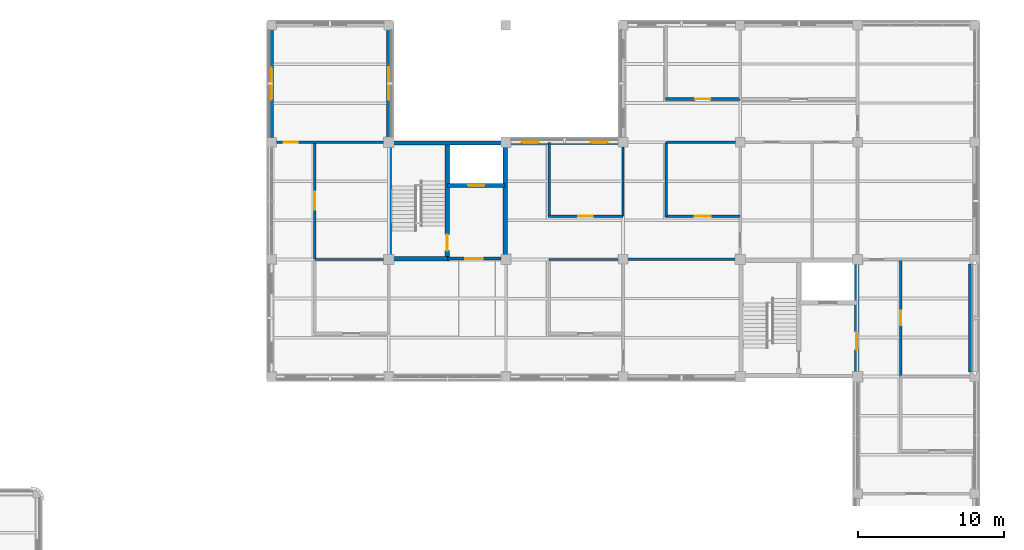
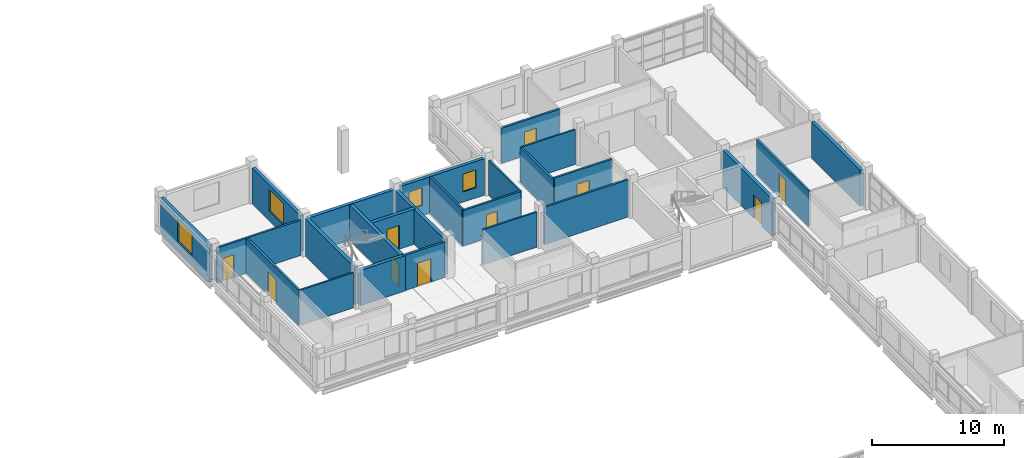
# One storey, part 74 of 92: 25 walls, 10 doors, 4 windows, 14 openings.
"""IFC4 building model written with IfcOpenShell, lengths in metres."""

import ifcopenshell
import ifcopenshell.guid

model = None  # the IFC model being written
_history = None  # IfcOwnerHistory: only IFC2X3 demands one
_inside = {}  # id of a spatial element -> (the spatial element, [elements in it])
_under = {}  # id of a project, library or spatial element -> (it, [spatial elements below it])
_declared = {}  # id of a project -> (the project, [libraries it declares])
_typed = {}  # id of a type object -> (the type object, [elements of that type])
_made_of = {}  # id of a material, layer set ... -> (it, [elements and type objects made of it])


def new_model(schema):
    """Start an empty IFC model of exactly this schema.

    Asked for "IFC4X3", IfcOpenShell would pick the latest addendum, in which some entities
    have other attributes; the version numbers below select the first issue.
    IFC2X3 requires an IfcOwnerHistory on every rooted entity: one is made here for all.
    """
    global model, _history
    if schema == "IFC4X3":
        model = ifcopenshell.file(schema_version=(4, 3, 0, 0))
    else:
        model = ifcopenshell.file(schema=schema)
    _inside.clear()
    _under.clear()
    _declared.clear()
    _typed.clear()
    _made_of.clear()
    _history = None
    if model.schema == "IFC2X3":
        org = make("IfcOrganization", Name="unknown")
        user = make(
            "IfcPersonAndOrganization",
            ThePerson=make("IfcPerson", FamilyName="unknown"),
            TheOrganization=org,
        )
        app = make(
            "IfcApplication",
            ApplicationDeveloper=org,
            Version="unknown",
            ApplicationFullName="unknown",
            ApplicationIdentifier="unknown",
        )
        _history = make(
            "IfcOwnerHistory",
            OwningUser=user,
            OwningApplication=app,
            ChangeAction="ADDED",
            CreationDate=0,
        )
    return model


def make(cls, **values):
    """One entity of the class cls with the attributes given. An attribute that is None is left unset."""
    return model.create_entity(
        cls, **{name: value for name, value in values.items() if value is not None}
    )


def rooted(cls, **values):
    """An entity with a GlobalId (a new one), such as an element, a storey or a relation."""
    return make(cls, GlobalId=ifcopenshell.guid.new(), OwnerHistory=_history, **values)


def si_unit(unit_type, name, prefix=None):
    """IfcSIUnit, for example si_unit("LENGTHUNIT", "METRE", prefix="MILLI")."""
    return make("IfcSIUnit", UnitType=unit_type, Prefix=prefix, Name=name)


def derived_unit(unit_type, elements):
    """IfcDerivedUnit: a product of units, each with its exponent."""
    return make(
        "IfcDerivedUnit",
        Elements=[
            make("IfcDerivedUnitElement", Unit=unit, Exponent=power)
            for unit, power in elements
        ],
        UnitType=unit_type,
    )


def assignment(units):
    """IfcUnitAssignment: the units of a project."""
    return None if units is None else make("IfcUnitAssignment", Units=units)


def point(xyz):
    """IfcCartesianPoint."""
    return None if xyz is None else make("IfcCartesianPoint", Coordinates=xyz)


def direction(xyz):
    """IfcDirection."""
    return None if xyz is None else make("IfcDirection", DirectionRatios=xyz)


def frame(location, z_axis=None, x_axis=None):
    """IfcAxis2Placement3D, a coordinate frame: its origin and axes. An axis left out is left unset."""
    return make(
        "IfcAxis2Placement3D",
        Location=point(location),
        Axis=direction(z_axis),
        RefDirection=direction(x_axis),
    )


def frame_2d(location, x_axis=None):
    """IfcAxis2Placement2D, a coordinate frame in the plane: its origin and x axis."""
    return make(
        "IfcAxis2Placement2D", Location=point(location), RefDirection=direction(x_axis)
    )


def origin():
    """The frame at (0, 0, 0) with its axes left unset."""
    return frame((0.0, 0.0, 0.0))


def place(relative_to, where):
    """IfcLocalPlacement: puts the frame where relative to a parent placement (None: the world)."""
    return make(
        "IfcLocalPlacement", PlacementRelTo=relative_to, RelativePlacement=where
    )


def context(
    kind, dimensions, precision=None, world=None, true_north=None, identifier=None
):
    """IfcGeometricRepresentationContext, for example the 3D "Model" context."""
    return make(
        "IfcGeometricRepresentationContext",
        ContextIdentifier=identifier,
        ContextType=kind,
        CoordinateSpaceDimension=dimensions,
        Precision=precision,
        WorldCoordinateSystem=world,
        TrueNorth=true_north,
    )


def subcontext(parent, identifier, kind, view, scale=None):
    """IfcGeometricRepresentationSubContext, for example "Body" below "Model"."""
    return make(
        "IfcGeometricRepresentationSubContext",
        ContextIdentifier=identifier,
        ContextType=kind,
        ParentContext=parent,
        TargetScale=scale,
        TargetView=view,
    )


def project(units=None, contexts=None):
    """IfcProject with its units and contexts."""
    return rooted(
        "IfcProject",
        Name="project",
        RepresentationContexts=contexts,
        UnitsInContext=assignment(units),
    )


def spatial(cls, under=None, at=None, **own):
    """A site, building, storey or space (cls), placed at a placement, below another one or the project."""
    s = rooted(cls, ObjectPlacement=at, **own)
    if under is not None:
        _under.setdefault(under.id(), (under, []))[1].append(s)
    return s


def profile(cls, at=None, kind="AREA", **sizes):
    """A parametric profile (cls). Its sizes go by their IFC names, for example OverallWidth=200.0."""
    return make(cls, ProfileType=kind, Position=at, **sizes)


def rectangle(**sizes):
    """IfcRectangleProfileDef."""
    return profile("IfcRectangleProfileDef", **sizes)


def extrude(swept, where, along, depth):
    """IfcExtrudedAreaSolid: the profile swept, set in the frame where, extruded along a direction by depth."""
    return make(
        "IfcExtrudedAreaSolid",
        SweptArea=swept,
        Position=where,
        ExtrudedDirection=direction(along),
        Depth=depth,
    )


def shape(context_of_items, identifier, shape_type, items):
    """IfcShapeRepresentation: the items that make up one representation, for example the "Body"."""
    return make(
        "IfcShapeRepresentation",
        ContextOfItems=context_of_items,
        RepresentationIdentifier=identifier,
        RepresentationType=shape_type,
        Items=items,
    )


def material(Name=None, Category=None):
    """IfcMaterial."""
    return make("IfcMaterial", Name=Name, Category=Category)


def layer(
    of_material, thickness, ventilated=None, Name=None, Category=None, Priority=None
):
    """IfcMaterialLayer: one layer of a wall or slab, of a material (None: an air gap)."""
    return make(
        "IfcMaterialLayer",
        Material=of_material,
        LayerThickness=thickness,
        IsVentilated=ventilated,
        Name=Name,
        Category=Category,
        Priority=Priority,
    )


def layer_set(layers, Name=None):
    """IfcMaterialLayerSet."""
    return make("IfcMaterialLayerSet", MaterialLayers=layers, LayerSetName=Name)


def made_of(thing, what):
    """Note that an element or type object is made of a material, layer set ...; save() writes the relation."""
    if what is not None:
        _made_of.setdefault(what.id(), (what, []))[1].append(thing)
    return thing


def type_object(cls, material=None, **own):
    """A type object (cls), such as IfcWallType, which elements share."""
    return made_of(rooted(cls, **own), material)


def element(
    cls,
    number,
    at=None,
    inside=None,
    cuts=None,
    type_object=None,
    material=None,
    context=None,
    identifier="Body",
    shape_type=None,
    held_by="IfcProductDefinitionShape",
    body=None,
    shapes=None,
    **own,
):
    """One element of the class cls, such as IfcWall. Its Tag is "e" and its number.

    at: its placement. inside: the storey or other place that contains it. cuts: it is an
    opening in that element (IfcRelVoidsElement). A single representation is given by context,
    identifier, shape_type and body (its items); several are given by shapes. held_by: the class
    of the entity that holds the representations. save() writes the other relations.
    """
    e = rooted(cls, Tag="e%d" % number, ObjectPlacement=at, **own)
    if body is not None:
        shapes = [shape(context, identifier, shape_type, body)]
    if shapes is not None:
        e.Representation = make(held_by, Representations=shapes)
    if inside is not None:
        _inside.setdefault(inside.id(), (inside, []))[1].append(e)
    if cuts is not None:
        rooted(
            "IfcRelVoidsElement", RelatingBuildingElement=cuts, RelatedOpeningElement=e
        )
    if type_object is not None:
        _typed.setdefault(type_object.id(), (type_object, []))[1].append(e)
    return made_of(e, material)


def fill(opening, filler):
    """IfcRelFillsElement: the door or window that sits in an opening."""
    return rooted(
        "IfcRelFillsElement",
        RelatingOpeningElement=opening,
        RelatedBuildingElement=filler,
    )


def aggregate(whole, parts):
    """IfcRelAggregates: a whole, such as a stair, and the parts it consists of."""
    return rooted("IfcRelAggregates", RelatingObject=whole, RelatedObjects=parts)


def save(model, path):
    """Write the relations noted so far, then the file.

    IfcRelAggregates (storeys below a building ...), IfcRelContainedInSpatialStructure (elements
    in a storey), IfcRelDefinesByType, IfcRelAssociatesMaterial and IfcRelDeclares: one each for
    every whole, place, type object, material and project.
    """
    for whole, parts in _under.values():
        aggregate(whole, parts)
    for where, things in _inside.values():
        rooted(
            "IfcRelContainedInSpatialStructure",
            RelatedElements=things,
            RelatingStructure=where,
        )
    for kind, things in _typed.values():
        rooted("IfcRelDefinesByType", RelatedObjects=things, RelatingType=kind)
    for what, things in _made_of.values():
        rooted("IfcRelAssociatesMaterial", RelatedObjects=things, RelatingMaterial=what)
    for by, libraries in _declared.values():
        rooted("IfcRelDeclares", RelatingContext=by, RelatedDefinitions=libraries)
    model.write(path)


model = new_model("IFC4")

# Units and contexts
model_context = context("Model", 3, precision=1e-05, world=origin(), true_north=direction((0.0, 1.0)))
body_context = subcontext(model_context, "Body", "Model", "MODEL_VIEW")
ifc_project = project(units=[si_unit("LENGTHUNIT", "METRE"), si_unit("AREAUNIT", "SQUARE_METRE"), si_unit("VOLUMEUNIT", "CUBIC_METRE"), si_unit("PLANEANGLEUNIT", "RADIAN"), si_unit("MASSUNIT", "GRAM", prefix="KILO"), derived_unit("THERMALTRANSMITTANCEUNIT", [(si_unit("MASSUNIT", "GRAM", prefix="KILO"), 1), (si_unit("TIMEUNIT", "SECOND"), -3), (si_unit("THERMODYNAMICTEMPERATUREUNIT", "KELVIN"), -1)])], contexts=[model_context])

# Site, building, storey
site_placement = place(None, origin())
site = spatial("IfcSite", under=ifc_project, at=site_placement, CompositionType="ELEMENT")
building_placement = place(site_placement, origin())
building = spatial("IfcBuilding", under=site, at=building_placement, Name="Veyamyaing Civic Hall", CompositionType="ELEMENT")
storey_placement = place(building_placement, frame((0.0, 0.0, 17.820068359375)))
storey = spatial("IfcBuildingStorey", under=building, at=storey_placement, Name="L04", CompositionType="ELEMENT", Elevation=17.820068359375)

# Wall, opening, window
ifc_material_1 = material(Name="Precast concrete C40/50", Category="concrete")
ifc_layer_1 = layer(ifc_material_1, 0.280029296875, Name="Precast concrete C40/50")
ifc_layer_set_1 = layer_set([ifc_layer_1], Name="Precast concrete C40/50")
wall_type_1 = type_object("IfcWallType", Name="WT-04", PredefinedType="SOLIDWALL", material=ifc_layer_set_1)
wall_1_placement = place(storey_placement, frame((128.0, 104.31005859375, 0.0), z_axis=(0.0, 0.0, 1.0), x_axis=(0.0, 1.0, 0.0)))
wall_1 = element("IfcWall", 1, at=wall_1_placement, inside=storey, type_object=wall_type_1, Name="Exterior facade wall WT-04 L04 W 17.14", PredefinedType="SOLIDWALL", context=body_context, shape_type="SweptSolid", body=[
    extrude(rectangle(XDim=7.3798828125, YDim=0.280029296875, at=frame_2d((3.68994140625, 0.0))), origin(), (0.0, 0.0, 1.0), 3.3740234375),
])
opening_1_placement = place(wall_1_placement, frame((2.590087890625, 0.0, 0.89990234375)))
opening_1 = element("IfcOpeningElement", 2, at=opening_1_placement, cuts=wall_1, Name="Opening W-08", PredefinedType="OPENING", context=body_context, shape_type="SweptSolid", body=[
    extrude(rectangle(XDim=2.199951171875, YDim=2.0, at=frame_2d((1.10009765625, 1.0))), frame((0.0, 0.14990234375, 0.0), z_axis=(0.0, -1.0, 0.0), x_axis=(1.0, 0.0, 0.0)), (0.0, 0.0, 1.0), 0.300048828125),
])
ifc_material_2 = material(Name="Low-E insulated glass", Category="glass")
window_type_1 = type_object("IfcWindowType", Name="W-08", PartitioningType="SINGLE_PANEL", PredefinedType="WINDOW", material=ifc_material_2)
window_1_placement = place(opening_1_placement, origin())
window_1 = element("IfcWindow", 3, at=window_1_placement, inside=storey, type_object=window_type_1, Name="Facade window W-08 L04 W 17.14", OverallHeight=2.0, OverallWidth=2.199951171875, PartitioningType="SINGLE_PANEL", PredefinedType="WINDOW", context=body_context, shape_type="SweptSolid", body=[
    extrude(rectangle(XDim=2.199951171875, YDim=2.0, at=frame_2d((1.10009765625, 1.0))), frame((0.0, 0.030029296875, 0.0), z_axis=(0.0, -1.0, 0.0), x_axis=(1.0, 0.0, 0.0)), (0.0, 0.0, 1.0), 0.06005859375),
])
fill(opening_1, window_1)

wall_2_placement = place(storey_placement, frame((136.0, 104.3349609375, 0.0), z_axis=(0.0, 0.0, 1.0), x_axis=(0.0, 1.0, 0.0)))
wall_2 = element("IfcWall", 4, at=wall_2_placement, inside=storey, type_object=wall_type_1, Name="Exterior facade wall WT-04 L04 E 17.14", PredefinedType="SOLIDWALL", context=body_context, shape_type="SweptSolid", body=[
    extrude(rectangle(XDim=7.35498046875, YDim=0.280029296875, at=frame_2d((3.677490234375, 0.0))), origin(), (0.0, 0.0, 1.0), 3.31396484375),
])
opening_2_placement = place(wall_2_placement, frame((2.577392578125, 0.0, 0.89990234375)))
opening_2 = element("IfcOpeningElement", 5, at=opening_2_placement, cuts=wall_2, Name="Opening W-08", PredefinedType="OPENING", context=body_context, shape_type="SweptSolid", body=[
    extrude(rectangle(XDim=2.199951171875, YDim=2.0, at=frame_2d((1.10009765625, 1.0))), frame((0.0, 0.14990234375, 0.0), z_axis=(0.0, -1.0, 0.0), x_axis=(1.0, 0.0, 0.0)), (0.0, 0.0, 1.0), 0.300048828125),
])
window_2_placement = place(opening_2_placement, origin())
window_2 = element("IfcWindow", 6, at=window_2_placement, inside=storey, type_object=window_type_1, Name="Facade window W-08 L04 E 17.14", OverallHeight=2.0, OverallWidth=2.199951171875, PartitioningType="SINGLE_PANEL", PredefinedType="WINDOW", context=body_context, shape_type="SweptSolid", body=[
    extrude(rectangle(XDim=2.199951171875, YDim=2.0, at=frame_2d((1.10009765625, 1.0))), frame((0.0, 0.030029296875, 0.0), z_axis=(0.0, -1.0, 0.0), x_axis=(1.0, 0.0, 0.0)), (0.0, 0.0, 1.0), 0.06005859375),
])
fill(opening_2, window_2)

# Wall, openings, windows
wall_3_placement = place(storey_placement, frame((144.3349609375, 104.0, 0.0), z_axis=(0.0, 0.0, 1.0), x_axis=(1.0, 0.0, 0.0)))
wall_3 = element("IfcWall", 7, at=wall_3_placement, inside=storey, type_object=wall_type_1, Name="Exterior facade wall WT-04 L04 N 19.13", PredefinedType="SOLIDWALL", context=body_context, shape_type="SweptSolid", body=[
    extrude(rectangle(XDim=7.35498046875, YDim=0.280029296875, at=frame_2d((3.677490234375, 0.0))), origin(), (0.0, 0.0, 1.0), 3.376953125),
])
opening_3_placement = place(wall_3_placement, frame((0.748779296875, 0.0, 0.949951171875)))
opening_3 = element("IfcOpeningElement", 8, at=opening_3_placement, cuts=wall_3, Name="Opening W-32", PredefinedType="OPENING", context=body_context, shape_type="SweptSolid", body=[
    extrude(rectangle(XDim=1.14990234375, YDim=1.64990234375, at=frame_2d((0.574951171875, 0.824951171875))), frame((0.0, 0.14990234375, 0.0), z_axis=(0.0, -1.0, 0.0), x_axis=(1.0, 0.0, 0.0)), (0.0, 0.0, 1.0), 0.300048828125),
])
opening_4_placement = place(wall_3_placement, frame((5.4560546875, 0.0, 0.949951171875)))
opening_4 = element("IfcOpeningElement", 9, at=opening_4_placement, cuts=wall_3, Name="Opening W-32", PredefinedType="OPENING", context=body_context, shape_type="SweptSolid", body=[
    extrude(rectangle(XDim=1.14990234375, YDim=1.64990234375, at=frame_2d((0.574951171875, 0.824951171875))), frame((0.0, 0.14990234375, 0.0), z_axis=(0.0, -1.0, 0.0), x_axis=(1.0, 0.0, 0.0)), (0.0, 0.0, 1.0), 0.300048828125),
])
window_type_2 = type_object("IfcWindowType", Name="W-32", PartitioningType="SINGLE_PANEL", PredefinedType="WINDOW", material=ifc_material_2)
window_3_placement = place(opening_3_placement, origin())
window_3 = element("IfcWindow", 10, at=window_3_placement, inside=storey, type_object=window_type_2, Name="Facade window W-32 L04 N 19.13.1", OverallHeight=1.64990234375, OverallWidth=1.14990234375, PartitioningType="SINGLE_PANEL", PredefinedType="WINDOW", context=body_context, shape_type="SweptSolid", body=[
    extrude(rectangle(XDim=1.14990234375, YDim=1.64990234375, at=frame_2d((0.574951171875, 0.824951171875))), frame((0.0, 0.030029296875, 0.0), z_axis=(0.0, -1.0, 0.0), x_axis=(1.0, 0.0, 0.0)), (0.0, 0.0, 1.0), 0.06005859375),
])
fill(opening_3, window_3)
window_4_placement = place(opening_4_placement, origin())
window_4 = element("IfcWindow", 11, at=window_4_placement, inside=storey, type_object=window_type_2, Name="Facade window W-32 L04 N 19.13.2", OverallHeight=1.64990234375, OverallWidth=1.14990234375, PartitioningType="SINGLE_PANEL", PredefinedType="WINDOW", context=body_context, shape_type="SweptSolid", body=[
    extrude(rectangle(XDim=1.14990234375, YDim=1.64990234375, at=frame_2d((0.574951171875, 0.824951171875))), frame((0.0, 0.030029296875, 0.0), z_axis=(0.0, -1.0, 0.0), x_axis=(1.0, 0.0, 0.0)), (0.0, 0.0, 1.0), 0.06005859375),
])
fill(opening_4, window_4)

# Wall
wall_4_placement = place(storey_placement, frame((175.699951171875, 88.31005859375, 0.0), z_axis=(0.0, 0.0, 1.0), x_axis=(0.0, 1.0, 0.0)))
element("IfcWall", 12, at=wall_4_placement, inside=storey, type_object=wall_type_1, Name="Exterior facade wall WT-04 L04 E 22.12", PredefinedType="SOLIDWALL", context=body_context, shape_type="SweptSolid", body=[
    extrude(rectangle(XDim=7.3798828125, YDim=0.280029296875, at=frame_2d((3.68994140625, 0.0))), origin(), (0.0, 0.0, 1.0), 3.3740234375),
])

# Wall, opening, door
ifc_material_3 = material(Name="Concrete C40/50", Category="concrete")
ifc_layer_2 = layer(ifc_material_3, 0.300048828125, Name="Concrete C40/50")
ifc_layer_set_2 = layer_set([ifc_layer_2], Name="Concrete C40/50")
wall_type_2 = type_object("IfcWallType", Name="WT-05", PredefinedType="SHEAR", material=ifc_layer_set_2)
wall_5_placement = place(storey_placement, frame((167.949951171875, 88.239990234375, 0.0), z_axis=(0.0, 0.0, 1.0), x_axis=(0.0, 1.0, 0.0)))
wall_5 = element("IfcWall", 13, at=wall_5_placement, inside=storey, type_object=wall_type_2, Name="Core shear wall WT-05 CORE-3 L04.E", PredefinedType="SHEAR", context=body_context, shape_type="SweptSolid", body=[
    extrude(rectangle(XDim=7.52001953125, YDim=0.300048828125, at=frame_2d((3.760009765625, 0.0))), origin(), (0.0, 0.0, 1.0), 3.4619140625),
])
opening_5_placement = place(wall_5_placement, frame((1.60009765625, 0.0, 0.0)))
opening_5 = element("IfcOpeningElement", 14, at=opening_5_placement, cuts=wall_5, Name="Opening D-04", PredefinedType="OPENING", context=body_context, shape_type="SweptSolid", body=[
    extrude(rectangle(XDim=1.199951171875, YDim=2.14990234375, at=frame_2d((0.60009765625, 1.074951171875))), frame((0.0, 0.159912109375, 0.0), z_axis=(0.0, -1.0, 0.0), x_axis=(1.0, 0.0, 0.0)), (0.0, 0.0, 1.0), 0.320068359375),
])
ifc_material_4 = material(Name="Galvanized steel S355J2", Category="steel")
door_type_1 = type_object("IfcDoorType", Name="D-04", OperationType="NOTDEFINED", PredefinedType="DOOR", material=ifc_material_4)
door_1_placement = place(opening_5_placement, frame((1.199951171875, 0.0, 0.0), z_axis=(0.0, 0.0, 1.0), x_axis=(-1.0, 0.0, 0.0)))
door_1 = element("IfcDoor", 15, at=door_1_placement, inside=storey, type_object=door_type_1, Name="Protected lobby fire door D-04 CORE-3 L04", OperationType="SINGLE_SWING_LEFT", OverallHeight=2.14990234375, OverallWidth=1.199951171875, PredefinedType="DOOR", context=body_context, shape_type="SweptSolid", body=[
    extrude(rectangle(XDim=1.199951171875, YDim=2.14990234375, at=frame_2d((0.60009765625, 1.074951171875))), frame((0.0, 0.02490234375, 0.0), z_axis=(0.0, -1.0, 0.0), x_axis=(1.0, 0.0, 0.0)), (0.0, 0.0, 1.0), 0.050048828125),
])
fill(opening_5, door_1)

# Walls
wall_6_placement = place(storey_placement, frame((136.050048828125, 96.239990234375, 0.0), z_axis=(0.0, 0.0, 1.0), x_axis=(0.0, 1.0, 0.0)))
element("IfcWall", 16, at=wall_6_placement, inside=storey, type_object=wall_type_2, Name="Core shear wall WT-05 CORE-4 L04.W", PredefinedType="SHEAR", context=body_context, shape_type="SweptSolid", body=[
    extrude(rectangle(XDim=7.52001953125, YDim=0.300048828125, at=frame_2d((3.760009765625, 0.0))), origin(), (0.0, 0.0, 1.0), 3.4619140625),
])
wall_7_placement = place(storey_placement, frame((136.239990234375, 103.949951171875, 0.0), z_axis=(0.0, 0.0, 1.0), x_axis=(1.0, 0.0, 0.0)))
element("IfcWall", 17, at=wall_7_placement, inside=storey, type_object=wall_type_2, Name="Core shear wall WT-05 CORE-4 L04.N", PredefinedType="SHEAR", context=body_context, shape_type="SweptSolid", body=[
    extrude(rectangle(XDim=7.52001953125, YDim=0.300048828125, at=frame_2d((3.760009765625, 0.0))), origin(), (0.0, 0.0, 1.0), 3.306884765625),
])
wall_8_placement = place(storey_placement, frame((143.949951171875, 96.239990234375, 0.0), z_axis=(0.0, 0.0, 1.0), x_axis=(0.0, 1.0, 0.0)))
element("IfcWall", 18, at=wall_8_placement, inside=storey, type_object=wall_type_2, Name="Core shear wall WT-05 CORE-4 L04.E", PredefinedType="SHEAR", context=body_context, shape_type="SweptSolid", body=[
    extrude(rectangle(XDim=7.52001953125, YDim=0.300048828125, at=frame_2d((3.760009765625, 0.0))), origin(), (0.0, 0.0, 1.0), 3.2568359375),
])
wall_9_placement = place(storey_placement, frame((136.239990234375, 96.050048828125, 0.0), z_axis=(0.0, 0.0, 1.0), x_axis=(1.0, 0.0, 0.0)))
element("IfcWall", 19, at=wall_9_placement, inside=storey, type_object=wall_type_2, Name="Core shear wall WT-05 CORE-4 L04.SS", PredefinedType="SHEAR", context=body_context, shape_type="SweptSolid", body=[
    extrude(rectangle(XDim=3.909912109375, YDim=0.300048828125, at=frame_2d((1.955078125, 0.0))), origin(), (0.0, 0.0, 1.0), 3.262939453125),
])

# Wall, opening, door
wall_10_placement = place(storey_placement, frame((140.0, 96.050048828125, 0.0), z_axis=(0.0, 0.0, 1.0), x_axis=(0.0, 1.0, 0.0)))
wall_10 = element("IfcWall", 20, at=wall_10_placement, inside=storey, type_object=wall_type_2, Name="Core shear wall WT-05 CORE-4 L04.MID", PredefinedType="SHEAR", context=body_context, shape_type="SweptSolid", body=[
    extrude(rectangle(XDim=7.89990234375, YDim=0.300048828125, at=frame_2d((3.949951171875, 0.0))), origin(), (0.0, 0.0, 1.0), 3.262939453125),
])
opening_6_placement = place(wall_10_placement, frame((0.550048828125, 0.0, 0.0)))
opening_6 = element("IfcOpeningElement", 21, at=opening_6_placement, cuts=wall_10, Name="Opening D-03", PredefinedType="OPENING", context=body_context, shape_type="SweptSolid", body=[
    extrude(rectangle(XDim=1.10009765625, YDim=2.14990234375, at=frame_2d((0.550048828125, 1.074951171875))), frame((0.0, 0.159912109375, 0.0), z_axis=(0.0, -1.0, 0.0), x_axis=(1.0, 0.0, 0.0)), (0.0, 0.0, 1.0), 0.320068359375),
])
door_type_2 = type_object("IfcDoorType", Name="D-03", OperationType="NOTDEFINED", PredefinedType="DOOR", material=ifc_material_4)
door_2_placement = place(opening_6_placement, origin())
door_2 = element("IfcDoor", 22, at=door_2_placement, inside=storey, type_object=door_type_2, Name="Exit stair fire door D-03 ST-04 L04", OperationType="SINGLE_SWING_RIGHT", OverallHeight=2.14990234375, OverallWidth=1.10009765625, PredefinedType="DOOR", context=body_context, shape_type="SweptSolid", body=[
    extrude(rectangle(XDim=1.10009765625, YDim=2.14990234375, at=frame_2d((0.550048828125, 1.074951171875))), frame((0.0, 0.02490234375, 0.0), z_axis=(0.0, -1.0, 0.0), x_axis=(1.0, 0.0, 0.0)), (0.0, 0.0, 1.0), 0.050048828125),
])
fill(opening_6, door_2)

wall_11_placement = place(storey_placement, frame((140.0, 101.050048828125, 0.0), z_axis=(0.0, 0.0, 1.0), x_axis=(1.0, 0.0, 0.0)))
wall_11 = element("IfcWall", 23, at=wall_11_placement, inside=storey, type_object=wall_type_2, Name="Core shear wall WT-05 CORE-4 L04.LFT", PredefinedType="SHEAR", context=body_context, shape_type="SweptSolid", body=[
    extrude(rectangle(XDim=3.949951171875, YDim=0.300048828125, at=frame_2d((1.97509765625, 0.0))), origin(), (0.0, 0.0, 1.0), 3.2568359375),
])
opening_7_placement = place(wall_11_placement, frame((1.425048828125, 0.0, 0.0)))
opening_7 = element("IfcOpeningElement", 24, at=opening_7_placement, cuts=wall_11, Name="Opening LD-01", PredefinedType="OPENING", context=body_context, shape_type="SweptSolid", body=[
    extrude(rectangle(XDim=1.10009765625, YDim=2.199951171875, at=frame_2d((0.550048828125, 1.10009765625))), frame((0.0, 0.159912109375, 0.0), z_axis=(0.0, -1.0, 0.0), x_axis=(1.0, 0.0, 0.0)), (0.0, 0.0, 1.0), 0.320068359375),
])
ifc_material_5 = material(Name="Anodised aluminium 6063-T6", Category="aluminium")
door_type_3 = type_object("IfcDoorType", Name="LD-01", OperationType="SLIDING_TO_LEFT", PredefinedType="DOOR", material=ifc_material_5)
door_3_placement = place(opening_7_placement, origin())
door_3 = element("IfcDoor", 25, at=door_3_placement, inside=storey, type_object=door_type_3, Name="Lift sliding landing door LD-01 PL-02 L04", OperationType="SLIDING_TO_LEFT", OverallHeight=2.199951171875, OverallWidth=1.10009765625, PredefinedType="DOOR", context=body_context, shape_type="SweptSolid", body=[
    extrude(rectangle(XDim=1.10009765625, YDim=2.199951171875, at=frame_2d((0.550048828125, 1.10009765625))), frame((0.0, 0.02490234375, 0.0), z_axis=(0.0, -1.0, 0.0), x_axis=(1.0, 0.0, 0.0)), (0.0, 0.0, 1.0), 0.050048828125),
])
fill(opening_7, door_3)

ifc_layer_3 = layer(ifc_material_3, 0.199951171875, Name="Concrete C40/50")
ifc_layer_set_3 = layer_set([ifc_layer_3], Name="Concrete C40/50")
wall_type_3 = type_object("IfcWallType", Name="WT-06", PredefinedType="PARTITIONING", material=ifc_layer_set_3)
wall_12_placement = place(storey_placement, frame((140.0, 96.050048828125, 0.0), z_axis=(0.0, 0.0, 1.0), x_axis=(1.0, 0.0, 0.0)))
wall_12 = element("IfcWall", 26, at=wall_12_placement, inside=storey, type_object=wall_type_3, Name="Firefighting lift lobby wall WT-06 CORE-4 L04", PredefinedType="PARTITIONING", context=body_context, shape_type="SweptSolid", body=[
    extrude(rectangle(XDim=3.659912109375, YDim=0.199951171875, at=frame_2d((1.830078125, 0.0))), origin(), (0.0, 0.0, 1.0), 3.262939453125),
])
opening_8_placement = place(wall_12_placement, frame((1.22998046875, 0.0, 0.0)))
opening_8 = element("IfcOpeningElement", 27, at=opening_8_placement, cuts=wall_12, Name="Opening D-04", PredefinedType="OPENING", context=body_context, shape_type="SweptSolid", body=[
    extrude(rectangle(XDim=1.199951171875, YDim=2.14990234375, at=frame_2d((0.60009765625, 1.074951171875))), frame((0.0, 0.10986328125, 0.0), z_axis=(0.0, -1.0, 0.0), x_axis=(1.0, 0.0, 0.0)), (0.0, 0.0, 1.0), 0.219970703125),
])
door_4_placement = place(opening_8_placement, frame((1.199951171875, 0.0, 0.0), z_axis=(0.0, 0.0, 1.0), x_axis=(-1.0, 0.0, 0.0)))
door_4 = element("IfcDoor", 28, at=door_4_placement, inside=storey, type_object=door_type_1, Name="Protected lobby fire door D-04 CORE-4 L04", OperationType="SINGLE_SWING_LEFT", OverallHeight=2.14990234375, OverallWidth=1.199951171875, PredefinedType="DOOR", context=body_context, shape_type="SweptSolid", body=[
    extrude(rectangle(XDim=1.199951171875, YDim=2.14990234375, at=frame_2d((0.60009765625, 1.074951171875))), frame((0.0, 0.02490234375, 0.0), z_axis=(0.0, -1.0, 0.0), x_axis=(1.0, 0.0, 0.0)), (0.0, 0.0, 1.0), 0.050048828125),
])
fill(opening_8, door_4)

ifc_material_6 = material(Name="Gypsum board on acoustic steel stud", Category="steel")
ifc_layer_4 = layer(ifc_material_6, 0.175048828125, Name="Gypsum board on acoustic steel stud")
ifc_layer_set_4 = layer_set([ifc_layer_4], Name="Gypsum board on acoustic steel stud")
wall_type_4 = type_object("IfcWallType", Name="WT-07", PredefinedType="PARTITIONING", material=ifc_layer_set_4)
wall_13_placement = place(storey_placement, frame((130.949951171875, 96.02001953125, 0.0), z_axis=(0.0, 0.0, 1.0), x_axis=(0.0, 1.0, 0.0)))
wall_13 = element("IfcWall", 29, at=wall_13_placement, inside=storey, type_object=wall_type_4, Name="Corridor gallery partition WT-07 L04.33.1", PredefinedType="PARTITIONING", context=body_context, shape_type="SweptSolid", body=[
    extrude(rectangle(XDim=7.9599609375, YDim=0.175048828125, at=frame_2d((3.97998046875, 0.0))), origin(), (0.0, 0.0, 1.0), 3.2568359375),
])
opening_9_placement = place(wall_13_placement, frame((3.35498046875, 0.0, 0.0)))
opening_9 = element("IfcOpeningElement", 30, at=opening_9_placement, cuts=wall_13, Name="Opening D-29", PredefinedType="OPENING", context=body_context, shape_type="SweptSolid", body=[
    extrude(rectangle(XDim=1.25, YDim=2.179931640625, at=frame_2d((0.625, 1.08984375))), frame((0.0, 0.097412109375, 0.0), z_axis=(0.0, -1.0, 0.0), x_axis=(1.0, 0.0, 0.0)), (0.0, 0.0, 1.0), 0.195068359375),
])
ifc_material_7 = material(Name="Teak-veneered acoustic timber", Category="wood")
door_type_4 = type_object("IfcDoorType", Name="D-29", OperationType="NOTDEFINED", PredefinedType="DOOR", material=ifc_material_7)
door_5_placement = place(opening_9_placement, frame((1.25, 0.0, 0.0), z_axis=(0.0, 0.0, 1.0), x_axis=(-1.0, 0.0, 0.0)))
door_5 = element("IfcDoor", 31, at=door_5_placement, inside=storey, type_object=door_type_4, Name="Gallery office door D-29 L04.33", OperationType="SINGLE_SWING_RIGHT", OverallHeight=2.179931640625, OverallWidth=1.25, PredefinedType="DOOR", context=body_context, shape_type="SweptSolid", body=[
    extrude(rectangle(XDim=1.25, YDim=2.179931640625, at=frame_2d((0.625, 1.08984375))), frame((0.0, 0.02490234375, 0.0), z_axis=(0.0, -1.0, 0.0), x_axis=(1.0, 0.0, 0.0)), (0.0, 0.0, 1.0), 0.050048828125),
])
fill(opening_9, door_5)

wall_14_placement = place(storey_placement, frame((146.89990234375, 98.949951171875, 0.0), z_axis=(0.0, 0.0, 1.0), x_axis=(1.0, 0.0, 0.0)))
wall_14 = element("IfcWall", 32, at=wall_14_placement, inside=storey, type_object=wall_type_4, Name="Corridor gallery partition WT-07 L04.37.1", PredefinedType="PARTITIONING", context=body_context, shape_type="SweptSolid", body=[
    extrude(rectangle(XDim=5.080078125, YDim=0.175048828125, at=frame_2d((2.5400390625, 0.0))), origin(), (0.0, 0.0, 1.0), 3.262939453125),
])
opening_10_placement = place(wall_14_placement, frame((2.050048828125, 0.0, 0.0)))
opening_10 = element("IfcOpeningElement", 33, at=opening_10_placement, cuts=wall_14, Name="Opening D-14", PredefinedType="OPENING", context=body_context, shape_type="SweptSolid", body=[
    extrude(rectangle(XDim=0.97998046875, YDim=2.14990234375, at=frame_2d((0.489990234375, 1.074951171875))), frame((0.0, 0.097412109375, 0.0), z_axis=(0.0, -1.0, 0.0), x_axis=(1.0, 0.0, 0.0)), (0.0, 0.0, 1.0), 0.195068359375),
])
door_type_5 = type_object("IfcDoorType", Name="D-14", OperationType="NOTDEFINED", PredefinedType="DOOR", material=ifc_material_7)
door_6_placement = place(opening_10_placement, origin())
door_6 = element("IfcDoor", 34, at=door_6_placement, inside=storey, type_object=door_type_5, Name="Gallery office door D-14 L04.37", OperationType="SINGLE_SWING_RIGHT", OverallHeight=2.14990234375, OverallWidth=0.97998046875, PredefinedType="DOOR", context=body_context, shape_type="SweptSolid", body=[
    extrude(rectangle(XDim=0.97998046875, YDim=2.14990234375, at=frame_2d((0.489990234375, 1.074951171875))), frame((0.0, 0.02490234375, 0.0), z_axis=(0.0, -1.0, 0.0), x_axis=(1.0, 0.0, 0.0)), (0.0, 0.0, 1.0), 0.050048828125),
])
fill(opening_10, door_6)

# Wall
wall_15_placement = place(storey_placement, frame((146.949951171875, 98.89990234375, 0.0), z_axis=(0.0, 0.0, 1.0), x_axis=(0.0, 1.0, 0.0)))
element("IfcWall", 35, at=wall_15_placement, inside=storey, type_object=wall_type_4, Name="Corridor gallery partition WT-07 L04.37.2", PredefinedType="PARTITIONING", context=body_context, shape_type="SweptSolid", body=[
    extrude(rectangle(XDim=5.080078125, YDim=0.175048828125, at=frame_2d((2.5400390625, 0.0))), origin(), (0.0, 0.0, 1.0), 3.369873046875),
])

# Wall, opening, door
wall_16_placement = place(storey_placement, frame((154.89990234375, 98.949951171875, 0.0), z_axis=(0.0, 0.0, 1.0), x_axis=(1.0, 0.0, 0.0)))
wall_16 = element("IfcWall", 36, at=wall_16_placement, inside=storey, type_object=wall_type_4, Name="Corridor gallery partition WT-07 L04.39.1", PredefinedType="PARTITIONING", context=body_context, shape_type="SweptSolid", body=[
    extrude(rectangle(XDim=5.080078125, YDim=0.175048828125, at=frame_2d((2.5400390625, 0.0))), origin(), (0.0, 0.0, 1.0), 3.4619140625),
])
opening_11_placement = place(wall_16_placement, frame((2.0, 0.0, 0.0)))
opening_11 = element("IfcOpeningElement", 37, at=opening_11_placement, cuts=wall_16, Name="Opening D-23", PredefinedType="OPENING", context=body_context, shape_type="SweptSolid", body=[
    extrude(rectangle(XDim=1.080078125, YDim=2.199951171875, at=frame_2d((0.5400390625, 1.10009765625))), frame((0.0, 0.097412109375, 0.0), z_axis=(0.0, -1.0, 0.0), x_axis=(1.0, 0.0, 0.0)), (0.0, 0.0, 1.0), 0.195068359375),
])
door_type_6 = type_object("IfcDoorType", Name="D-23", OperationType="NOTDEFINED", PredefinedType="DOOR", material=ifc_material_7)
door_7_placement = place(opening_11_placement, origin())
door_7 = element("IfcDoor", 38, at=door_7_placement, inside=storey, type_object=door_type_6, Name="Gallery office door D-23 L04.39", OperationType="SINGLE_SWING_RIGHT", OverallHeight=2.199951171875, OverallWidth=1.080078125, PredefinedType="DOOR", context=body_context, shape_type="SweptSolid", body=[
    extrude(rectangle(XDim=1.080078125, YDim=2.199951171875, at=frame_2d((0.5400390625, 1.10009765625))), frame((0.0, 0.02490234375, 0.0), z_axis=(0.0, -1.0, 0.0), x_axis=(1.0, 0.0, 0.0)), (0.0, 0.0, 1.0), 0.050048828125),
])
fill(opening_11, door_7)

# Wall
wall_17_placement = place(storey_placement, frame((154.949951171875, 98.89990234375, 0.0), z_axis=(0.0, 0.0, 1.0), x_axis=(0.0, 1.0, 0.0)))
element("IfcWall", 39, at=wall_17_placement, inside=storey, type_object=wall_type_4, Name="Corridor gallery partition WT-07 L04.39.2", PredefinedType="PARTITIONING", context=body_context, shape_type="SweptSolid", body=[
    extrude(rectangle(XDim=5.080078125, YDim=0.175048828125, at=frame_2d((2.5400390625, 0.0))), origin(), (0.0, 0.0, 1.0), 3.23193359375),
])

# Wall, opening, door
wall_18_placement = place(storey_placement, frame((128.31494140625, 104.0, 0.0), z_axis=(0.0, 0.0, 1.0), x_axis=(1.0, 0.0, 0.0)))
wall_18 = element("IfcWall", 40, at=wall_18_placement, inside=storey, type_object=wall_type_4, Name="Interior partition wall WT-07 L04.19", PredefinedType="PARTITIONING", context=body_context, shape_type="SweptSolid", body=[
    extrude(rectangle(XDim=7.344970703125, YDim=0.175048828125, at=frame_2d((3.67236328125, 0.0))), origin(), (0.0, 0.0, 1.0), 3.262939453125),
])
opening_12_placement = place(wall_18_placement, frame((0.52001953125, 0.0, 0.0)))
opening_12 = element("IfcOpeningElement", 41, at=opening_12_placement, cuts=wall_18, Name="Opening D-30", PredefinedType="OPENING", context=body_context, shape_type="SweptSolid", body=[
    extrude(rectangle(XDim=0.93994140625, YDim=2.1201171875, at=frame_2d((0.469970703125, 1.06005859375))), frame((0.0, 0.097412109375, 0.0), z_axis=(0.0, -1.0, 0.0), x_axis=(1.0, 0.0, 0.0)), (0.0, 0.0, 1.0), 0.195068359375),
])
door_type_7 = type_object("IfcDoorType", Name="D-30", OperationType="NOTDEFINED", PredefinedType="DOOR", material=ifc_material_7)
door_8_placement = place(opening_12_placement, origin())
door_8 = element("IfcDoor", 42, at=door_8_placement, inside=storey, type_object=door_type_7, Name="Interior door D-30 L04.19", OperationType="SINGLE_SWING_LEFT", OverallHeight=2.1201171875, OverallWidth=0.93994140625, PredefinedType="DOOR", context=body_context, shape_type="SweptSolid", body=[
    extrude(rectangle(XDim=0.93994140625, YDim=2.1201171875, at=frame_2d((0.469970703125, 1.06005859375))), frame((0.0, 0.02490234375, 0.0), z_axis=(0.0, -1.0, 0.0), x_axis=(1.0, 0.0, 0.0)), (0.0, 0.0, 1.0), 0.050048828125),
])
fill(opening_12, door_8)

# Walls
wall_19_placement = place(storey_placement, frame((152.31494140625, 96.0, 0.0), z_axis=(0.0, 0.0, 1.0), x_axis=(1.0, 0.0, 0.0)))
element("IfcWall", 43, at=wall_19_placement, inside=storey, type_object=wall_type_4, Name="Interior partition wall WT-07 L04.21", PredefinedType="PARTITIONING", context=body_context, shape_type="SweptSolid", body=[
    extrude(rectangle(XDim=7.344970703125, YDim=0.175048828125, at=frame_2d((3.67236328125, 0.0))), origin(), (0.0, 0.0, 1.0), 3.4619140625),
])
ifc_material_8 = material(Name="Gypsum board on steel stud", Category="steel")
ifc_layer_5 = layer(ifc_material_8, 0.14990234375, Name="Gypsum board on steel stud")
ifc_layer_set_5 = layer_set([ifc_layer_5], Name="Gypsum board on steel stud")
wall_type_5 = type_object("IfcWallType", Name="WT-08", PredefinedType="PARTITIONING", material=ifc_layer_set_5)
wall_20_placement = place(storey_placement, frame((130.949951171875, 96.0, 0.0), z_axis=(0.0, 0.0, 1.0), x_axis=(1.0, 0.0, 0.0)))
element("IfcWall", 44, at=wall_20_placement, inside=storey, type_object=wall_type_5, Name="Gallery office end partition WT-08 L04.32.1", PredefinedType="PARTITIONING", context=body_context, shape_type="SweptSolid", body=[
    extrude(rectangle(XDim=4.68994140625, YDim=0.14990234375, at=frame_2d((2.344970703125, 0.0))), origin(), (0.0, 0.0, 1.0), 3.2568359375),
])
wall_21_placement = place(storey_placement, frame((146.949951171875, 96.0, 0.0), z_axis=(0.0, 0.0, 1.0), x_axis=(1.0, 0.0, 0.0)))
element("IfcWall", 45, at=wall_21_placement, inside=storey, type_object=wall_type_5, Name="Gallery office end partition WT-08 L04.36.1", PredefinedType="PARTITIONING", context=body_context, shape_type="SweptSolid", body=[
    extrude(rectangle(XDim=4.715087890625, YDim=0.14990234375, at=frame_2d((2.357421875, 0.0))), origin(), (0.0, 0.0, 1.0), 3.2509765625),
])
wall_22_placement = place(storey_placement, frame((152.0, 98.949951171875, 0.0), z_axis=(0.0, 0.0, 1.0), x_axis=(0.0, 1.0, 0.0)))
element("IfcWall", 46, at=wall_22_placement, inside=storey, type_object=wall_type_5, Name="Gallery office end partition WT-08 L04.37.2", PredefinedType="PARTITIONING", context=body_context, shape_type="SweptSolid", body=[
    extrude(rectangle(XDim=4.715087890625, YDim=0.14990234375, at=frame_2d((2.357421875, 0.0))), origin(), (0.0, 0.0, 1.0), 3.262939453125),
])
wall_23_placement = place(storey_placement, frame((154.949951171875, 104.0, 0.0), z_axis=(0.0, 0.0, 1.0), x_axis=(1.0, 0.0, 0.0)))
element("IfcWall", 47, at=wall_23_placement, inside=storey, type_object=wall_type_5, Name="Gallery office end partition WT-08 L04.39.1", PredefinedType="PARTITIONING", context=body_context, shape_type="SweptSolid", body=[
    extrude(rectangle(XDim=4.715087890625, YDim=0.14990234375, at=frame_2d((2.357421875, 0.0))), origin(), (0.0, 0.0, 1.0), 3.23193359375),
])

# Wall, opening, door
ifc_material_9 = material(Name="Gypsum board on double acoustic stud")
ifc_layer_6 = layer(ifc_material_9, 0.18505859375, Name="Gypsum board on double acoustic stud")
ifc_layer_set_6 = layer_set([ifc_layer_6], Name="Gypsum board on double acoustic stud")
wall_type_6 = type_object("IfcWallType", Name="WT-19", PredefinedType="PARTITIONING", material=ifc_layer_set_6)
wall_24_placement = place(storey_placement, frame((154.89990234375, 106.949951171875, 0.0), z_axis=(0.0, 0.0, 1.0), x_axis=(1.0, 0.0, 0.0)))
wall_24 = element("IfcWall", 48, at=wall_24_placement, inside=storey, type_object=wall_type_6, Name="Corridor gallery partition WT-19 L04.40.1", PredefinedType="PARTITIONING", context=body_context, shape_type="SweptSolid", body=[
    extrude(rectangle(XDim=5.080078125, YDim=0.18505859375, at=frame_2d((2.5400390625, 0.0))), origin(), (0.0, 0.0, 1.0), 3.23193359375),
])
opening_13_placement = place(wall_24_placement, frame((2.02001953125, 0.0, 0.0)))
opening_13 = element("IfcOpeningElement", 49, at=opening_13_placement, cuts=wall_24, Name="Opening D-24", PredefinedType="OPENING", context=body_context, shape_type="SweptSolid", body=[
    extrude(rectangle(XDim=1.0400390625, YDim=2.179931640625, at=frame_2d((0.52001953125, 1.08984375))), frame((0.0, 0.1025390625, 0.0), z_axis=(0.0, -1.0, 0.0), x_axis=(1.0, 0.0, 0.0)), (0.0, 0.0, 1.0), 0.205078125),
])
door_type_8 = type_object("IfcDoorType", Name="D-24", OperationType="NOTDEFINED", PredefinedType="DOOR", material=ifc_material_7)
door_9_placement = place(opening_13_placement, origin())
door_9 = element("IfcDoor", 50, at=door_9_placement, inside=storey, type_object=door_type_8, Name="Gallery office door D-24 L04.40", OperationType="SINGLE_SWING_LEFT", OverallHeight=2.179931640625, OverallWidth=1.0400390625, PredefinedType="DOOR", context=body_context, shape_type="SweptSolid", body=[
    extrude(rectangle(XDim=1.0400390625, YDim=2.179931640625, at=frame_2d((0.52001953125, 1.08984375))), frame((0.0, 0.02490234375, 0.0), z_axis=(0.0, -1.0, 0.0), x_axis=(1.0, 0.0, 0.0)), (0.0, 0.0, 1.0), 0.050048828125),
])
fill(opening_13, door_9)

wall_25_placement = place(storey_placement, frame((170.949951171875, 88.02001953125, 0.0), z_axis=(0.0, 0.0, 1.0), x_axis=(0.0, 1.0, 0.0)))
wall_25 = element("IfcWall", 51, at=wall_25_placement, inside=storey, type_object=wall_type_6, Name="Corridor gallery partition WT-19 L04.46.1", PredefinedType="PARTITIONING", context=body_context, shape_type="SweptSolid", body=[
    extrude(rectangle(XDim=7.9599609375, YDim=0.18505859375, at=frame_2d((3.97998046875, 0.0))), origin(), (0.0, 0.0, 1.0), 3.251953125),
])
opening_14_placement = place(wall_25_placement, frame((3.47998046875, 0.0, 0.0)))
opening_14 = element("IfcOpeningElement", 52, at=opening_14_placement, cuts=wall_25, Name="Opening D-13", PredefinedType="OPENING", context=body_context, shape_type="SweptSolid", body=[
    extrude(rectangle(XDim=1.0, YDim=2.14990234375, at=frame_2d((0.5, 1.074951171875))), frame((0.0, 0.1025390625, 0.0), z_axis=(0.0, -1.0, 0.0), x_axis=(1.0, 0.0, 0.0)), (0.0, 0.0, 1.0), 0.205078125),
])
door_type_9 = type_object("IfcDoorType", Name="D-13", OperationType="NOTDEFINED", PredefinedType="DOOR", material=ifc_material_7)
door_10_placement = place(opening_14_placement, frame((1.0, 0.0, 0.0), z_axis=(0.0, 0.0, 1.0), x_axis=(-1.0, 0.0, 0.0)))
door_10 = element("IfcDoor", 53, at=door_10_placement, inside=storey, type_object=door_type_9, Name="Gallery office door D-13 L04.46", OperationType="SINGLE_SWING_LEFT", OverallHeight=2.14990234375, OverallWidth=1.0, PredefinedType="DOOR", context=body_context, shape_type="SweptSolid", body=[
    extrude(rectangle(XDim=1.0, YDim=2.14990234375, at=frame_2d((0.5, 1.074951171875))), frame((0.0, 0.02490234375, 0.0), z_axis=(0.0, -1.0, 0.0), x_axis=(1.0, 0.0, 0.0)), (0.0, 0.0, 1.0), 0.050048828125),
])
fill(opening_14, door_10)

save(model, "model.ifc")
